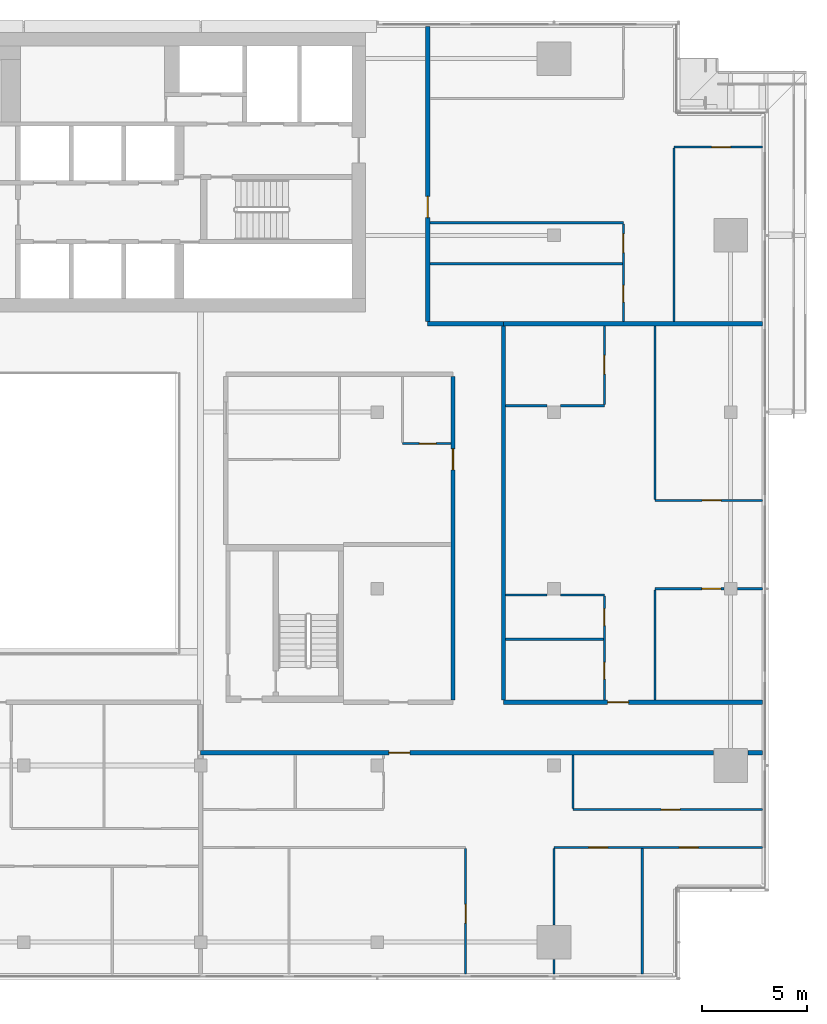
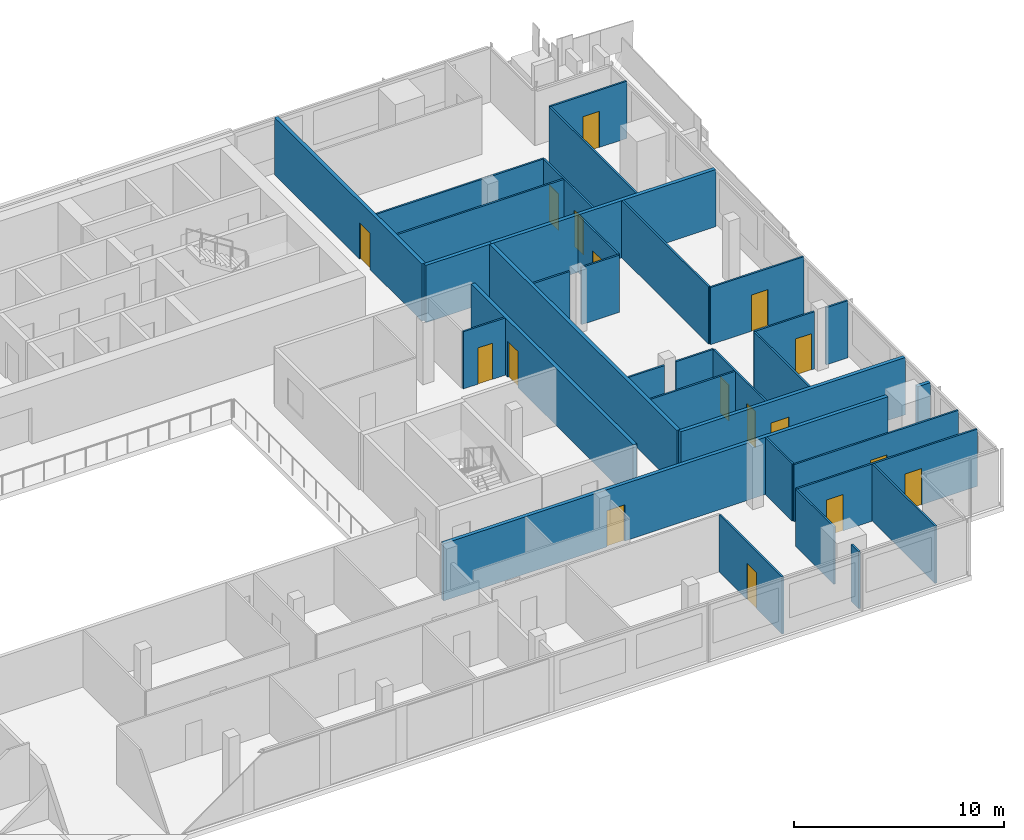
# One storey, part 23 of 30: 33 walls, 17 doors, 17 openings.
"""IFC4 building model written with IfcOpenShell, lengths in metres."""

import ifcopenshell
import ifcopenshell.guid

model = None  # the IFC model being written
_history = None  # IfcOwnerHistory: only IFC2X3 demands one
_inside = {}  # id of a spatial element -> (the spatial element, [elements in it])
_under = {}  # id of a project, library or spatial element -> (it, [spatial elements below it])
_declared = {}  # id of a project -> (the project, [libraries it declares])
_typed = {}  # id of a type object -> (the type object, [elements of that type])
_made_of = {}  # id of a material, layer set ... -> (it, [elements and type objects made of it])


def new_model(schema):
    """Start an empty IFC model of exactly this schema.

    Asked for "IFC4X3", IfcOpenShell would pick the latest addendum, in which some entities
    have other attributes; the version numbers below select the first issue.
    IFC2X3 requires an IfcOwnerHistory on every rooted entity: one is made here for all.
    """
    global model, _history
    if schema == "IFC4X3":
        model = ifcopenshell.file(schema_version=(4, 3, 0, 0))
    else:
        model = ifcopenshell.file(schema=schema)
    _inside.clear()
    _under.clear()
    _declared.clear()
    _typed.clear()
    _made_of.clear()
    _history = None
    if model.schema == "IFC2X3":
        org = make("IfcOrganization", Name="unknown")
        user = make(
            "IfcPersonAndOrganization",
            ThePerson=make("IfcPerson", FamilyName="unknown"),
            TheOrganization=org,
        )
        app = make(
            "IfcApplication",
            ApplicationDeveloper=org,
            Version="unknown",
            ApplicationFullName="unknown",
            ApplicationIdentifier="unknown",
        )
        _history = make(
            "IfcOwnerHistory",
            OwningUser=user,
            OwningApplication=app,
            ChangeAction="ADDED",
            CreationDate=0,
        )
    return model


def make(cls, **values):
    """One entity of the class cls with the attributes given. An attribute that is None is left unset."""
    return model.create_entity(
        cls, **{name: value for name, value in values.items() if value is not None}
    )


def rooted(cls, **values):
    """An entity with a GlobalId (a new one), such as an element, a storey or a relation."""
    return make(cls, GlobalId=ifcopenshell.guid.new(), OwnerHistory=_history, **values)


def si_unit(unit_type, name, prefix=None):
    """IfcSIUnit, for example si_unit("LENGTHUNIT", "METRE", prefix="MILLI")."""
    return make("IfcSIUnit", UnitType=unit_type, Prefix=prefix, Name=name)


def assignment(units):
    """IfcUnitAssignment: the units of a project."""
    return None if units is None else make("IfcUnitAssignment", Units=units)


def point(xyz):
    """IfcCartesianPoint."""
    return None if xyz is None else make("IfcCartesianPoint", Coordinates=xyz)


def direction(xyz):
    """IfcDirection."""
    return None if xyz is None else make("IfcDirection", DirectionRatios=xyz)


def frame(location, z_axis=None, x_axis=None):
    """IfcAxis2Placement3D, a coordinate frame: its origin and axes. An axis left out is left unset."""
    return make(
        "IfcAxis2Placement3D",
        Location=point(location),
        Axis=direction(z_axis),
        RefDirection=direction(x_axis),
    )


def frame_2d(location, x_axis=None):
    """IfcAxis2Placement2D, a coordinate frame in the plane: its origin and x axis."""
    return make(
        "IfcAxis2Placement2D", Location=point(location), RefDirection=direction(x_axis)
    )


def origin():
    """The frame at (0, 0, 0) with its axes left unset."""
    return frame((0.0, 0.0, 0.0))


def place(relative_to, where):
    """IfcLocalPlacement: puts the frame where relative to a parent placement (None: the world)."""
    return make(
        "IfcLocalPlacement", PlacementRelTo=relative_to, RelativePlacement=where
    )


def context(
    kind, dimensions, precision=None, world=None, true_north=None, identifier=None
):
    """IfcGeometricRepresentationContext, for example the 3D "Model" context."""
    return make(
        "IfcGeometricRepresentationContext",
        ContextIdentifier=identifier,
        ContextType=kind,
        CoordinateSpaceDimension=dimensions,
        Precision=precision,
        WorldCoordinateSystem=world,
        TrueNorth=true_north,
    )


def subcontext(parent, identifier, kind, view, scale=None):
    """IfcGeometricRepresentationSubContext, for example "Body" below "Model"."""
    return make(
        "IfcGeometricRepresentationSubContext",
        ContextIdentifier=identifier,
        ContextType=kind,
        ParentContext=parent,
        TargetScale=scale,
        TargetView=view,
    )


def project(units=None, contexts=None):
    """IfcProject with its units and contexts."""
    return rooted(
        "IfcProject",
        Name="project",
        RepresentationContexts=contexts,
        UnitsInContext=assignment(units),
    )


def spatial(cls, under=None, at=None, **own):
    """A site, building, storey or space (cls), placed at a placement, below another one or the project."""
    s = rooted(cls, ObjectPlacement=at, **own)
    if under is not None:
        _under.setdefault(under.id(), (under, []))[1].append(s)
    return s


def profile(cls, at=None, kind="AREA", **sizes):
    """A parametric profile (cls). Its sizes go by their IFC names, for example OverallWidth=200.0."""
    return make(cls, ProfileType=kind, Position=at, **sizes)


def rectangle(**sizes):
    """IfcRectangleProfileDef."""
    return profile("IfcRectangleProfileDef", **sizes)


def extrude(swept, where, along, depth):
    """IfcExtrudedAreaSolid: the profile swept, set in the frame where, extruded along a direction by depth."""
    return make(
        "IfcExtrudedAreaSolid",
        SweptArea=swept,
        Position=where,
        ExtrudedDirection=direction(along),
        Depth=depth,
    )


def shape(context_of_items, identifier, shape_type, items):
    """IfcShapeRepresentation: the items that make up one representation, for example the "Body"."""
    return make(
        "IfcShapeRepresentation",
        ContextOfItems=context_of_items,
        RepresentationIdentifier=identifier,
        RepresentationType=shape_type,
        Items=items,
    )


def material(Name=None, Category=None):
    """IfcMaterial."""
    return make("IfcMaterial", Name=Name, Category=Category)


def layer(
    of_material, thickness, ventilated=None, Name=None, Category=None, Priority=None
):
    """IfcMaterialLayer: one layer of a wall or slab, of a material (None: an air gap)."""
    return make(
        "IfcMaterialLayer",
        Material=of_material,
        LayerThickness=thickness,
        IsVentilated=ventilated,
        Name=Name,
        Category=Category,
        Priority=Priority,
    )


def layer_set(layers, Name=None):
    """IfcMaterialLayerSet."""
    return make("IfcMaterialLayerSet", MaterialLayers=layers, LayerSetName=Name)


def made_of(thing, what):
    """Note that an element or type object is made of a material, layer set ...; save() writes the relation."""
    if what is not None:
        _made_of.setdefault(what.id(), (what, []))[1].append(thing)
    return thing


def type_object(cls, material=None, **own):
    """A type object (cls), such as IfcWallType, which elements share."""
    return made_of(rooted(cls, **own), material)


def element(
    cls,
    number,
    at=None,
    inside=None,
    cuts=None,
    type_object=None,
    material=None,
    context=None,
    identifier="Body",
    shape_type=None,
    held_by="IfcProductDefinitionShape",
    body=None,
    shapes=None,
    **own,
):
    """One element of the class cls, such as IfcWall. Its Tag is "e" and its number.

    at: its placement. inside: the storey or other place that contains it. cuts: it is an
    opening in that element (IfcRelVoidsElement). A single representation is given by context,
    identifier, shape_type and body (its items); several are given by shapes. held_by: the class
    of the entity that holds the representations. save() writes the other relations.
    """
    e = rooted(cls, Tag="e%d" % number, ObjectPlacement=at, **own)
    if body is not None:
        shapes = [shape(context, identifier, shape_type, body)]
    if shapes is not None:
        e.Representation = make(held_by, Representations=shapes)
    if inside is not None:
        _inside.setdefault(inside.id(), (inside, []))[1].append(e)
    if cuts is not None:
        rooted(
            "IfcRelVoidsElement", RelatingBuildingElement=cuts, RelatedOpeningElement=e
        )
    if type_object is not None:
        _typed.setdefault(type_object.id(), (type_object, []))[1].append(e)
    return made_of(e, material)


def fill(opening, filler):
    """IfcRelFillsElement: the door or window that sits in an opening."""
    return rooted(
        "IfcRelFillsElement",
        RelatingOpeningElement=opening,
        RelatedBuildingElement=filler,
    )


def aggregate(whole, parts):
    """IfcRelAggregates: a whole, such as a stair, and the parts it consists of."""
    return rooted("IfcRelAggregates", RelatingObject=whole, RelatedObjects=parts)


def save(model, path):
    """Write the relations noted so far, then the file.

    IfcRelAggregates (storeys below a building ...), IfcRelContainedInSpatialStructure (elements
    in a storey), IfcRelDefinesByType, IfcRelAssociatesMaterial and IfcRelDeclares: one each for
    every whole, place, type object, material and project.
    """
    for whole, parts in _under.values():
        aggregate(whole, parts)
    for where, things in _inside.values():
        rooted(
            "IfcRelContainedInSpatialStructure",
            RelatedElements=things,
            RelatingStructure=where,
        )
    for kind, things in _typed.values():
        rooted("IfcRelDefinesByType", RelatedObjects=things, RelatingType=kind)
    for what, things in _made_of.values():
        rooted("IfcRelAssociatesMaterial", RelatedObjects=things, RelatingMaterial=what)
    for by, libraries in _declared.values():
        rooted("IfcRelDeclares", RelatingContext=by, RelatedDefinitions=libraries)
    model.write(path)


model = new_model("IFC4")

# Units and contexts
model_context = context("Model", 3, precision=1e-05, world=origin(), true_north=direction((0.0, 1.0)))
body_context = subcontext(model_context, "Body", "Model", "MODEL_VIEW")
ifc_project = project(units=[si_unit("LENGTHUNIT", "METRE"), si_unit("AREAUNIT", "SQUARE_METRE"), si_unit("VOLUMEUNIT", "CUBIC_METRE"), si_unit("PLANEANGLEUNIT", "RADIAN"), si_unit("MASSUNIT", "GRAM", prefix="KILO")], contexts=[model_context])

# Site, building, storey
site_placement = place(None, origin())
site = spatial("IfcSite", under=ifc_project, at=site_placement, CompositionType="ELEMENT")
building_placement = place(site_placement, origin())
building = spatial("IfcBuilding", under=site, at=building_placement, Name="Saffron Gate Tower", CompositionType="ELEMENT")
storey_placement = place(building_placement, frame((0.0, 0.0, 245.10009765625)))
storey = spatial("IfcBuildingStorey", under=building, at=storey_placement, Name="L60", CompositionType="ELEMENT", Elevation=245.10009765625)

# Wall, openings, doors
ifc_material_1 = material(Name="Plasterboard on steel studs", Category="steel")
ifc_layer_1 = layer(ifc_material_1, 0.10009765625)
ifc_layer_set_1 = layer_set([ifc_layer_1], Name="PW1 Partition 100")
wall_type_1 = type_object("IfcWallType", Name="PW1 Partition 100", PredefinedType="PARTITIONING", material=ifc_layer_set_1)
wall_1_placement = place(storey_placement, frame((126.919921875, 36.300048828125, 0.0), z_axis=(0.0, 0.0, 1.0), x_axis=(-1.0, 0.0, 0.0)))
wall_1 = element("IfcWall", 1, at=wall_1_placement, inside=storey, type_object=wall_type_1, Name="Partition D4-7", PredefinedType="PARTITIONING", context=body_context, shape_type="SweptSolid", body=[
    extrude(rectangle(XDim=9.919921875, YDim=0.10009765625, at=frame_2d((4.9599609375, 0.0))), origin(), (0.0, 0.0, 1.0), 3.31982421875),
])
opening_1_placement = place(wall_1_placement, frame((3.0576171875, 0.0, 0.0)))
opening_1 = element("IfcOpeningElement", 2, at=opening_1_placement, cuts=wall_1, Name="Opening D4-21", PredefinedType="OPENING", context=body_context, shape_type="SweptSolid", body=[
    extrude(rectangle(XDim=0.89990234375, YDim=2.10009765625, at=frame_2d((0.449951171875, 1.050048828125))), frame((0.0, 0.06005859375, 0.0), z_axis=(0.0, -1.0, 0.0), x_axis=(1.0, 0.0, 0.0)), (0.0, 0.0, 1.0), 0.1201171875),
])
opening_2_placement = place(wall_1_placement, frame((7.3701171875, 0.0, 0.0)))
opening_2 = element("IfcOpeningElement", 3, at=opening_2_placement, cuts=wall_1, Name="Opening D4-20", PredefinedType="OPENING", context=body_context, shape_type="SweptSolid", body=[
    extrude(rectangle(XDim=0.89990234375, YDim=2.10009765625, at=frame_2d((0.449951171875, 1.050048828125))), frame((0.0, 0.06005859375, 0.0), z_axis=(0.0, -1.0, 0.0), x_axis=(1.0, 0.0, 0.0)), (0.0, 0.0, 1.0), 0.1201171875),
])
ifc_material_2 = material(Name="Timber door set", Category="wood")
door_type_1 = type_object("IfcDoorType", Name="RD1 Room door 900x2100", OperationType="NOTDEFINED", PredefinedType="DOOR", material=ifc_material_2)
door_1_placement = place(opening_1_placement, origin())
door_1 = element("IfcDoor", 4, at=door_1_placement, inside=storey, type_object=door_type_1, Name="Door D4-21", OperationType="SINGLE_SWING_RIGHT", OverallHeight=2.10009765625, OverallWidth=0.89990234375, PredefinedType="DOOR", context=body_context, shape_type="SweptSolid", body=[
    extrude(rectangle(XDim=0.89990234375, YDim=2.10009765625, at=frame_2d((0.449951171875, 1.050048828125))), frame((0.0, 0.02490234375, 0.0), z_axis=(0.0, -1.0, 0.0), x_axis=(1.0, 0.0, 0.0)), (0.0, 0.0, 1.0), 0.050048828125),
])
fill(opening_1, door_1)
door_2_placement = place(opening_2_placement, origin())
door_2 = element("IfcDoor", 5, at=door_2_placement, inside=storey, type_object=door_type_1, Name="Door D4-20", OperationType="SINGLE_SWING_RIGHT", OverallHeight=2.10009765625, OverallWidth=0.89990234375, PredefinedType="DOOR", context=body_context, shape_type="SweptSolid", body=[
    extrude(rectangle(XDim=0.89990234375, YDim=2.10009765625, at=frame_2d((0.449951171875, 1.050048828125))), frame((0.0, 0.02490234375, 0.0), z_axis=(0.0, -1.0, 0.0), x_axis=(1.0, 0.0, 0.0)), (0.0, 0.0, 1.0), 0.050048828125),
])
fill(opening_2, door_2)

# Wall, opening, door
wall_2_placement = place(storey_placement, frame((117.89990234375, 38.10009765625, 0.0), z_axis=(0.0, 0.0, 1.0), x_axis=(1.0, 0.0, 0.0)))
wall_2 = element("IfcWall", 6, at=wall_2_placement, inside=storey, type_object=wall_type_1, Name="Partition D4-11", PredefinedType="PARTITIONING", context=body_context, shape_type="SweptSolid", body=[
    extrude(rectangle(XDim=9.02001953125, YDim=0.10009765625, at=frame_2d((4.510009765625, 0.0))), origin(), (0.0, 0.0, 1.0), 3.31982421875),
])
opening_3_placement = place(wall_2_placement, frame((4.199951171875, 0.0, 0.0)))
opening_3 = element("IfcOpeningElement", 7, at=opening_3_placement, cuts=wall_2, Name="Opening D4-22", PredefinedType="OPENING", context=body_context, shape_type="SweptSolid", body=[
    extrude(rectangle(XDim=0.89990234375, YDim=2.10009765625, at=frame_2d((0.449951171875, 1.050048828125))), frame((0.0, 0.06005859375, 0.0), z_axis=(0.0, -1.0, 0.0), x_axis=(1.0, 0.0, 0.0)), (0.0, 0.0, 1.0), 0.1201171875),
])
door_3_placement = place(opening_3_placement, origin())
door_3 = element("IfcDoor", 8, at=door_3_placement, inside=storey, type_object=door_type_1, Name="Door D4-22", OperationType="SINGLE_SWING_RIGHT", OverallHeight=2.10009765625, OverallWidth=0.89990234375, PredefinedType="DOOR", context=body_context, shape_type="SweptSolid", body=[
    extrude(rectangle(XDim=0.89990234375, YDim=2.10009765625, at=frame_2d((0.449951171875, 1.050048828125))), frame((0.0, 0.02490234375, 0.0), z_axis=(0.0, -1.0, 0.0), x_axis=(1.0, 0.0, 0.0)), (0.0, 0.0, 1.0), 0.050048828125),
])
fill(opening_3, door_3)

# Walls
wall_3_placement = place(storey_placement, frame((114.699951171875, 46.199951171875, 0.0), z_axis=(0.0, 0.0, 1.0), x_axis=(1.0, 0.0, 0.0)))
element("IfcWall", 9, at=wall_3_placement, inside=storey, type_object=wall_type_1, Name="Partition D4-21", PredefinedType="PARTITIONING", context=body_context, shape_type="SweptSolid", body=[
    extrude(rectangle(XDim=4.650146484375, YDim=0.10009765625, at=frame_2d((2.3251953125, 0.0))), origin(), (0.0, 0.0, 1.0), 3.31982421875),
])
wall_4_placement = place(storey_placement, frame((114.699951171875, 48.300048828125, 0.0), z_axis=(0.0, 0.0, 1.0), x_axis=(1.0, 0.0, 0.0)))
element("IfcWall", 10, at=wall_4_placement, inside=storey, type_object=wall_type_1, Name="Partition D4-22", PredefinedType="PARTITIONING", context=body_context, shape_type="SweptSolid", body=[
    extrude(rectangle(XDim=1.97998046875, YDim=0.10009765625, at=frame_2d((0.989990234375, 0.0))), origin(), (0.0, 0.0, 1.0), 3.31982421875),
])
wall_5_placement = place(storey_placement, frame((117.320068359375, 48.300048828125, 0.0), z_axis=(0.0, 0.0, 1.0), x_axis=(1.0, 0.0, 0.0)))
element("IfcWall", 11, at=wall_5_placement, inside=storey, type_object=wall_type_1, Name="Partition D4-23", PredefinedType="PARTITIONING", context=body_context, shape_type="SweptSolid", body=[
    extrude(rectangle(XDim=2.079833984375, YDim=0.10009765625, at=frame_2d((1.0400390625, 0.0))), origin(), (0.0, 0.0, 1.0), 3.31982421875),
])

# Wall, opening, door
wall_6_placement = place(storey_placement, frame((125.080078125, 48.60009765625, 0.0), z_axis=(0.0, 0.0, 1.0), x_axis=(-1.0, 0.0, 0.0)))
wall_6 = element("IfcWall", 12, at=wall_6_placement, inside=storey, type_object=wall_type_1, Name="Partition D4-26", PredefinedType="PARTITIONING", context=body_context, shape_type="SweptSolid", body=[
    extrude(rectangle(XDim=3.280029296875, YDim=0.10009765625, at=frame_2d((1.64013671875, 0.0))), origin(), (0.0, 0.0, 1.0), 3.31982421875),
])
opening_4_placement = place(wall_6_placement, frame((0.14990234375, 0.0, 0.0)))
opening_4 = element("IfcOpeningElement", 13, at=opening_4_placement, cuts=wall_6, Name="Opening D4-29", PredefinedType="OPENING", context=body_context, shape_type="SweptSolid", body=[
    extrude(rectangle(XDim=0.89990234375, YDim=2.10009765625, at=frame_2d((0.449951171875, 1.050048828125))), frame((0.0, 0.06005859375, 0.0), z_axis=(0.0, -1.0, 0.0), x_axis=(1.0, 0.0, 0.0)), (0.0, 0.0, 1.0), 0.1201171875),
])
door_4_placement = place(opening_4_placement, origin())
door_4 = element("IfcDoor", 14, at=door_4_placement, inside=storey, type_object=door_type_1, Name="Door D4-29", OperationType="SINGLE_SWING_LEFT", OverallHeight=2.10009765625, OverallWidth=0.89990234375, PredefinedType="DOOR", context=body_context, shape_type="SweptSolid", body=[
    extrude(rectangle(XDim=0.89990234375, YDim=2.10009765625, at=frame_2d((0.449951171875, 1.050048828125))), frame((0.0, 0.02490234375, 0.0), z_axis=(0.0, -1.0, 0.0), x_axis=(1.0, 0.0, 0.0)), (0.0, 0.0, 1.0), 0.050048828125),
])
fill(opening_4, door_4)

# Wall
wall_7_placement = place(storey_placement, frame((125.719970703125, 48.60009765625, 0.0), z_axis=(0.0, 0.0, 1.0), x_axis=(1.0, 0.0, 0.0)))
element("IfcWall", 15, at=wall_7_placement, inside=storey, type_object=wall_type_1, Name="Partition D4-27", PredefinedType="PARTITIONING", context=body_context, shape_type="SweptSolid", body=[
    extrude(rectangle(XDim=1.199951171875, YDim=0.10009765625, at=frame_2d((0.60009765625, 0.0))), origin(), (0.0, 0.0, 1.0), 3.31982421875),
])

# Wall, opening, door
wall_8_placement = place(storey_placement, frame((121.800048828125, 52.800048828125, 0.0), z_axis=(0.0, 0.0, 1.0), x_axis=(1.0, 0.0, 0.0)))
wall_8 = element("IfcWall", 16, at=wall_8_placement, inside=storey, type_object=wall_type_1, Name="Partition D4-32", PredefinedType="PARTITIONING", context=body_context, shape_type="SweptSolid", body=[
    extrude(rectangle(XDim=5.119873046875, YDim=0.10009765625, at=frame_2d((2.56005859375, 0.0))), origin(), (0.0, 0.0, 1.0), 3.31982421875),
])
opening_5_placement = place(wall_8_placement, frame((2.25, 0.0, 0.0)))
opening_5 = element("IfcOpeningElement", 17, at=opening_5_placement, cuts=wall_8, Name="Opening D4-30", PredefinedType="OPENING", context=body_context, shape_type="SweptSolid", body=[
    extrude(rectangle(XDim=0.89990234375, YDim=2.10009765625, at=frame_2d((0.449951171875, 1.050048828125))), frame((0.0, 0.06005859375, 0.0), z_axis=(0.0, -1.0, 0.0), x_axis=(1.0, 0.0, 0.0)), (0.0, 0.0, 1.0), 0.1201171875),
])
door_5_placement = place(opening_5_placement, origin())
door_5 = element("IfcDoor", 18, at=door_5_placement, inside=storey, type_object=door_type_1, Name="Door D4-30", OperationType="SINGLE_SWING_RIGHT", OverallHeight=2.10009765625, OverallWidth=0.89990234375, PredefinedType="DOOR", context=body_context, shape_type="SweptSolid", body=[
    extrude(rectangle(XDim=0.89990234375, YDim=2.10009765625, at=frame_2d((0.449951171875, 1.050048828125))), frame((0.0, 0.02490234375, 0.0), z_axis=(0.0, -1.0, 0.0), x_axis=(1.0, 0.0, 0.0)), (0.0, 0.0, 1.0), 0.050048828125),
])
fill(opening_5, door_5)

wall_9_placement = place(storey_placement, frame((109.800048828125, 55.5, 0.0), z_axis=(0.0, 0.0, 1.0), x_axis=(1.0, 0.0, 0.0)))
wall_9 = element("IfcWall", 19, at=wall_9_placement, inside=storey, type_object=wall_type_1, Name="Partition D4-37", PredefinedType="PARTITIONING", context=body_context, shape_type="SweptSolid", body=[
    extrude(rectangle(XDim=2.300048828125, YDim=0.10009765625, at=frame_2d((1.14990234375, 0.0))), origin(), (0.0, 0.0, 1.0), 3.31982421875),
])
opening_6_placement = place(wall_9_placement, frame((0.800048828125, 0.0, 0.0)))
opening_6 = element("IfcOpeningElement", 20, at=opening_6_placement, cuts=wall_9, Name="Opening D4-50", PredefinedType="OPENING", context=body_context, shape_type="SweptSolid", body=[
    extrude(rectangle(XDim=0.800048828125, YDim=2.10009765625, at=frame_2d((0.39990234375, 1.050048828125))), frame((0.0, 0.06005859375, 0.0), z_axis=(0.0, -1.0, 0.0), x_axis=(1.0, 0.0, 0.0)), (0.0, 0.0, 1.0), 0.1201171875),
])
door_type_2 = type_object("IfcDoorType", Name="RD2 Bathroom door 800x2100", OperationType="NOTDEFINED", PredefinedType="DOOR", material=ifc_material_2)
door_6_placement = place(opening_6_placement, origin())
door_6 = element("IfcDoor", 21, at=door_6_placement, inside=storey, type_object=door_type_2, Name="Door D4-50", OperationType="SINGLE_SWING_RIGHT", OverallHeight=2.10009765625, OverallWidth=0.800048828125, PredefinedType="DOOR", context=body_context, shape_type="SweptSolid", body=[
    extrude(rectangle(XDim=0.800048828125, YDim=2.10009765625, at=frame_2d((0.39990234375, 1.050048828125))), frame((0.0, 0.02490234375, 0.0), z_axis=(0.0, -1.0, 0.0), x_axis=(1.0, 0.0, 0.0)), (0.0, 0.0, 1.0), 0.050048828125),
])
fill(opening_6, door_6)

# Walls
wall_10_placement = place(storey_placement, frame((114.699951171875, 57.300048828125, 0.0), z_axis=(0.0, 0.0, 1.0), x_axis=(1.0, 0.0, 0.0)))
element("IfcWall", 22, at=wall_10_placement, inside=storey, type_object=wall_type_1, Name="Partition D4-40", PredefinedType="PARTITIONING", context=body_context, shape_type="SweptSolid", body=[
    extrude(rectangle(XDim=1.97998046875, YDim=0.10009765625, at=frame_2d((0.989990234375, 0.0))), origin(), (0.0, 0.0, 1.0), 3.31982421875),
])
wall_11_placement = place(storey_placement, frame((117.320068359375, 57.300048828125, 0.0), z_axis=(0.0, 0.0, 1.0), x_axis=(1.0, 0.0, 0.0)))
element("IfcWall", 23, at=wall_11_placement, inside=storey, type_object=wall_type_1, Name="Partition D4-41", PredefinedType="PARTITIONING", context=body_context, shape_type="SweptSolid", body=[
    extrude(rectangle(XDim=2.079833984375, YDim=0.10009765625, at=frame_2d((1.0400390625, 0.0))), origin(), (0.0, 0.0, 1.0), 3.31982421875),
])
wall_12_placement = place(storey_placement, frame((111.10009765625, 64.049560546875, 0.0), z_axis=(0.0, 0.0, 1.0), x_axis=(1.0, 0.0, 0.0)))
element("IfcWall", 24, at=wall_12_placement, inside=storey, type_object=wall_type_1, Name="Partition D4-49", PredefinedType="PARTITIONING", context=body_context, shape_type="SweptSolid", body=[
    extrude(rectangle(XDim=9.14990234375, YDim=0.10009765625, at=frame_2d((4.574951171875, 0.0))), origin(), (0.0, 0.0, 1.0), 3.31982421875),
])
wall_13_placement = place(storey_placement, frame((111.10009765625, 66.0, 0.0), z_axis=(0.0, 0.0, 1.0), x_axis=(1.0, 0.0, 0.0)))
element("IfcWall", 25, at=wall_13_placement, inside=storey, type_object=wall_type_1, Name="Partition D4-50", PredefinedType="PARTITIONING", context=body_context, shape_type="SweptSolid", body=[
    extrude(rectangle(XDim=9.199951171875, YDim=0.10009765625, at=frame_2d((4.60009765625, 0.0))), origin(), (0.0, 0.0, 1.0), 3.31982421875),
])

# Wall, opening, door
wall_14_placement = place(storey_placement, frame((126.919921875, 69.60009765625, 0.0), z_axis=(0.0, 0.0, 1.0), x_axis=(-1.0, 0.0, 0.0)))
wall_14 = element("IfcWall", 26, at=wall_14_placement, inside=storey, type_object=wall_type_1, Name="Partition D4-54", PredefinedType="PARTITIONING", context=body_context, shape_type="SweptSolid", body=[
    extrude(rectangle(XDim=4.219970703125, YDim=0.10009765625, at=frame_2d((2.10986328125, 0.0))), origin(), (0.0, 0.0, 1.0), 3.31982421875),
])
opening_7_placement = place(wall_14_placement, frame((1.52001953125, 0.0, 0.0)))
opening_7 = element("IfcOpeningElement", 27, at=opening_7_placement, cuts=wall_14, Name="Opening D4-32", PredefinedType="OPENING", context=body_context, shape_type="SweptSolid", body=[
    extrude(rectangle(XDim=0.89990234375, YDim=2.10009765625, at=frame_2d((0.449951171875, 1.050048828125))), frame((0.0, 0.06005859375, 0.0), z_axis=(0.0, -1.0, 0.0), x_axis=(1.0, 0.0, 0.0)), (0.0, 0.0, 1.0), 0.1201171875),
])
door_7_placement = place(opening_7_placement, origin())
door_7 = element("IfcDoor", 28, at=door_7_placement, inside=storey, type_object=door_type_1, Name="Door D4-32", OperationType="SINGLE_SWING_LEFT", OverallHeight=2.10009765625, OverallWidth=0.89990234375, PredefinedType="DOOR", context=body_context, shape_type="SweptSolid", body=[
    extrude(rectangle(XDim=0.89990234375, YDim=2.10009765625, at=frame_2d((0.449951171875, 1.050048828125))), frame((0.0, 0.02490234375, 0.0), z_axis=(0.0, -1.0, 0.0), x_axis=(1.0, 0.0, 0.0)), (0.0, 0.0, 1.0), 0.050048828125),
])
fill(opening_7, door_7)

wall_15_placement = place(storey_placement, frame((112.800048828125, 30.280029296875, 0.0), z_axis=(0.0, 0.0, 1.0), x_axis=(0.0, 1.0, 0.0)))
wall_15 = element("IfcWall", 29, at=wall_15_placement, inside=storey, type_object=wall_type_1, Name="Partition D4-104", PredefinedType="PARTITIONING", context=body_context, shape_type="SweptSolid", body=[
    extrude(rectangle(XDim=5.969970703125, YDim=0.10009765625, at=frame_2d((2.98486328125, 0.0))), origin(), (0.0, 0.0, 1.0), 3.31982421875),
])
opening_8_placement = place(wall_15_placement, frame((2.419921875, 0.0, 0.0)))
opening_8 = element("IfcOpeningElement", 30, at=opening_8_placement, cuts=wall_15, Name="Opening D4-19", PredefinedType="OPENING", context=body_context, shape_type="SweptSolid", body=[
    extrude(rectangle(XDim=0.89990234375, YDim=2.10009765625, at=frame_2d((0.449951171875, 1.050048828125))), frame((0.0, 0.06005859375, 0.0), z_axis=(0.0, -1.0, 0.0), x_axis=(1.0, 0.0, 0.0)), (0.0, 0.0, 1.0), 0.1201171875),
])
door_8_placement = place(opening_8_placement, origin())
door_8 = element("IfcDoor", 31, at=door_8_placement, inside=storey, type_object=door_type_1, Name="Door D4-19", OperationType="SINGLE_SWING_LEFT", OverallHeight=2.10009765625, OverallWidth=0.89990234375, PredefinedType="DOOR", context=body_context, shape_type="SweptSolid", body=[
    extrude(rectangle(XDim=0.89990234375, YDim=2.10009765625, at=frame_2d((0.449951171875, 1.050048828125))), frame((0.0, 0.02490234375, 0.0), z_axis=(0.0, -1.0, 0.0), x_axis=(1.0, 0.0, 0.0)), (0.0, 0.0, 1.0), 0.050048828125),
])
fill(opening_8, door_8)

# Walls
wall_16_placement = place(storey_placement, frame((117.0, 30.97998046875, 0.0), z_axis=(0.0, 0.0, 1.0), x_axis=(0.0, -1.0, 0.0)))
element("IfcWall", 32, at=wall_16_placement, inside=storey, type_object=wall_type_1, Name="Partition D4-106", PredefinedType="PARTITIONING", context=body_context, shape_type="SweptSolid", body=[
    extrude(rectangle(XDim=0.699951171875, YDim=0.10009765625, at=frame_2d((0.35009765625, 0.0))), origin(), (0.0, 0.0, 1.0), 3.31982421875),
])
wall_17_placement = place(storey_placement, frame((117.0, 36.25, 0.0), z_axis=(0.0, 0.0, 1.0), x_axis=(0.0, -1.0, 0.0)))
element("IfcWall", 33, at=wall_17_placement, inside=storey, type_object=wall_type_1, Name="Partition D4-107", PredefinedType="PARTITIONING", context=body_context, shape_type="SweptSolid", body=[
    extrude(rectangle(XDim=3.6298828125, YDim=0.10009765625, at=frame_2d((1.81494140625, 0.0))), origin(), (0.0, 0.0, 1.0), 3.31982421875),
])
wall_18_placement = place(storey_placement, frame((117.89990234375, 40.699951171875, 0.0), z_axis=(0.0, 0.0, 1.0), x_axis=(0.0, -1.0, 0.0)))
element("IfcWall", 34, at=wall_18_placement, inside=storey, type_object=wall_type_1, Name="Partition D4-108", PredefinedType="PARTITIONING", context=body_context, shape_type="SweptSolid", body=[
    extrude(rectangle(XDim=2.550048828125, YDim=0.10009765625, at=frame_2d((1.27490234375, 0.0))), origin(), (0.0, 0.0, 1.0), 3.31982421875),
])

# Wall, openings, doors
wall_19_placement = place(storey_placement, frame((119.39990234375, 43.300048828125, 0.0), z_axis=(0.0, 0.0, 1.0), x_axis=(0.0, 1.0, 0.0)))
wall_19 = element("IfcWall", 35, at=wall_19_placement, inside=storey, type_object=wall_type_1, Name="Partition D4-109", PredefinedType="PARTITIONING", context=body_context, shape_type="SweptSolid", body=[
    extrude(rectangle(XDim=4.949951171875, YDim=0.10009765625, at=frame_2d((2.47509765625, 0.0))), origin(), (0.0, 0.0, 1.0), 3.31982421875),
])
opening_9_placement = place(wall_19_placement, frame((1.0, 0.0, 0.0)))
opening_9 = element("IfcOpeningElement", 36, at=opening_9_placement, cuts=wall_19, Name="Opening D4-46", PredefinedType="OPENING", context=body_context, shape_type="SweptSolid", body=[
    extrude(rectangle(XDim=0.800048828125, YDim=2.10009765625, at=frame_2d((0.39990234375, 1.050048828125))), frame((0.0, 0.06005859375, 0.0), z_axis=(0.0, -1.0, 0.0), x_axis=(1.0, 0.0, 0.0)), (0.0, 0.0, 1.0), 0.1201171875),
])
opening_10_placement = place(wall_19_placement, frame((3.550048828125, 0.0, 0.0)))
opening_10 = element("IfcOpeningElement", 37, at=opening_10_placement, cuts=wall_19, Name="Opening D4-47", PredefinedType="OPENING", context=body_context, shape_type="SweptSolid", body=[
    extrude(rectangle(XDim=0.800048828125, YDim=2.10009765625, at=frame_2d((0.39990234375, 1.050048828125))), frame((0.0, 0.06005859375, 0.0), z_axis=(0.0, -1.0, 0.0), x_axis=(1.0, 0.0, 0.0)), (0.0, 0.0, 1.0), 0.1201171875),
])
door_9_placement = place(opening_9_placement, origin())
door_9 = element("IfcDoor", 38, at=door_9_placement, inside=storey, type_object=door_type_2, Name="Door D4-46", OperationType="SINGLE_SWING_LEFT", OverallHeight=2.10009765625, OverallWidth=0.800048828125, PredefinedType="DOOR", context=body_context, shape_type="SweptSolid", body=[
    extrude(rectangle(XDim=0.800048828125, YDim=2.10009765625, at=frame_2d((0.39990234375, 1.050048828125))), frame((0.0, 0.02490234375, 0.0), z_axis=(0.0, -1.0, 0.0), x_axis=(1.0, 0.0, 0.0)), (0.0, 0.0, 1.0), 0.050048828125),
])
fill(opening_9, door_9)
door_10_placement = place(opening_10_placement, origin())
door_10 = element("IfcDoor", 39, at=door_10_placement, inside=storey, type_object=door_type_2, Name="Door D4-47", OperationType="SINGLE_SWING_RIGHT", OverallHeight=2.10009765625, OverallWidth=0.800048828125, PredefinedType="DOOR", context=body_context, shape_type="SweptSolid", body=[
    extrude(rectangle(XDim=0.800048828125, YDim=2.10009765625, at=frame_2d((0.39990234375, 1.050048828125))), frame((0.0, 0.02490234375, 0.0), z_axis=(0.0, -1.0, 0.0), x_axis=(1.0, 0.0, 0.0)), (0.0, 0.0, 1.0), 0.050048828125),
])
fill(opening_10, door_10)

# Wall, opening, door
wall_20_placement = place(storey_placement, frame((119.39990234375, 57.35009765625, 0.0), z_axis=(0.0, 0.0, 1.0), x_axis=(0.0, 1.0, 0.0)))
wall_20 = element("IfcWall", 40, at=wall_20_placement, inside=storey, type_object=wall_type_1, Name="Partition D4-110", PredefinedType="PARTITIONING", context=body_context, shape_type="SweptSolid", body=[
    extrude(rectangle(XDim=3.75, YDim=0.10009765625, at=frame_2d((1.875, 0.0))), origin(), (0.0, 0.0, 1.0), 3.31982421875),
])
opening_11_placement = place(wall_20_placement, frame((1.449951171875, 0.0, 0.0)))
opening_11 = element("IfcOpeningElement", 41, at=opening_11_placement, cuts=wall_20, Name="Opening D4-31", PredefinedType="OPENING", context=body_context, shape_type="SweptSolid", body=[
    extrude(rectangle(XDim=0.89990234375, YDim=2.10009765625, at=frame_2d((0.449951171875, 1.050048828125))), frame((0.0, 0.06005859375, 0.0), z_axis=(0.0, -1.0, 0.0), x_axis=(1.0, 0.0, 0.0)), (0.0, 0.0, 1.0), 0.1201171875),
])
door_11_placement = place(opening_11_placement, origin())
door_11 = element("IfcDoor", 42, at=door_11_placement, inside=storey, type_object=door_type_1, Name="Door D4-31", OperationType="SINGLE_SWING_RIGHT", OverallHeight=2.10009765625, OverallWidth=0.89990234375, PredefinedType="DOOR", context=body_context, shape_type="SweptSolid", body=[
    extrude(rectangle(XDim=0.89990234375, YDim=2.10009765625, at=frame_2d((0.449951171875, 1.050048828125))), frame((0.0, 0.02490234375, 0.0), z_axis=(0.0, -1.0, 0.0), x_axis=(1.0, 0.0, 0.0)), (0.0, 0.0, 1.0), 0.050048828125),
])
fill(opening_11, door_11)

# Wall, openings, doors
wall_21_placement = place(storey_placement, frame((120.300048828125, 61.300048828125, 0.0), z_axis=(0.0, 0.0, 1.0), x_axis=(0.0, 1.0, 0.0)))
wall_21 = element("IfcWall", 43, at=wall_21_placement, inside=storey, type_object=wall_type_1, Name="Partition D4-111", PredefinedType="PARTITIONING", context=body_context, shape_type="SweptSolid", body=[
    extrude(rectangle(XDim=4.64990234375, YDim=0.10009765625, at=frame_2d((2.324951171875, 0.0))), origin(), (0.0, 0.0, 1.0), 3.31982421875),
])
opening_12_placement = place(wall_21_placement, frame((0.9248046875, 0.0, 0.0)))
opening_12 = element("IfcOpeningElement", 44, at=opening_12_placement, cuts=wall_21, Name="Opening D4-48", PredefinedType="OPENING", context=body_context, shape_type="SweptSolid", body=[
    extrude(rectangle(XDim=0.800048828125, YDim=2.10009765625, at=frame_2d((0.39990234375, 1.050048828125))), frame((0.0, 0.06005859375, 0.0), z_axis=(0.0, -1.0, 0.0), x_axis=(1.0, 0.0, 0.0)), (0.0, 0.0, 1.0), 0.1201171875),
])
opening_13_placement = place(wall_21_placement, frame((3.274658203125, 0.0, 0.0)))
opening_13 = element("IfcOpeningElement", 45, at=opening_13_placement, cuts=wall_21, Name="Opening D4-34", PredefinedType="OPENING", context=body_context, shape_type="SweptSolid", body=[
    extrude(rectangle(XDim=0.89990234375, YDim=2.10009765625, at=frame_2d((0.449951171875, 1.050048828125))), frame((0.0, 0.06005859375, 0.0), z_axis=(0.0, -1.0, 0.0), x_axis=(1.0, 0.0, 0.0)), (0.0, 0.0, 1.0), 0.1201171875),
])
door_12_placement = place(opening_13_placement, origin())
door_12 = element("IfcDoor", 46, at=door_12_placement, inside=storey, type_object=door_type_1, Name="Door D4-34", OperationType="SINGLE_SWING_RIGHT", OverallHeight=2.10009765625, OverallWidth=0.89990234375, PredefinedType="DOOR", context=body_context, shape_type="SweptSolid", body=[
    extrude(rectangle(XDim=0.89990234375, YDim=2.10009765625, at=frame_2d((0.449951171875, 1.050048828125))), frame((0.0, 0.02490234375, 0.0), z_axis=(0.0, -1.0, 0.0), x_axis=(1.0, 0.0, 0.0)), (0.0, 0.0, 1.0), 0.050048828125),
])
fill(opening_13, door_12)
door_13_placement = place(opening_12_placement, origin())
door_13 = element("IfcDoor", 47, at=door_13_placement, inside=storey, type_object=door_type_2, Name="Door D4-48", OperationType="SINGLE_SWING_LEFT", OverallHeight=2.10009765625, OverallWidth=0.800048828125, PredefinedType="DOOR", context=body_context, shape_type="SweptSolid", body=[
    extrude(rectangle(XDim=0.800048828125, YDim=2.10009765625, at=frame_2d((0.39990234375, 1.050048828125))), frame((0.0, 0.02490234375, 0.0), z_axis=(0.0, -1.0, 0.0), x_axis=(1.0, 0.0, 0.0)), (0.0, 0.0, 1.0), 0.050048828125),
])
fill(opening_12, door_13)

# Walls
wall_22_placement = place(storey_placement, frame((121.199951171875, 36.25, 0.0), z_axis=(0.0, 0.0, 1.0), x_axis=(0.0, -1.0, 0.0)))
element("IfcWall", 48, at=wall_22_placement, inside=storey, type_object=wall_type_1, Name="Partition D4-113", PredefinedType="PARTITIONING", context=body_context, shape_type="SweptSolid", body=[
    extrude(rectangle(XDim=5.969970703125, YDim=0.10009765625, at=frame_2d((2.98486328125, 0.0))), origin(), (0.0, 0.0, 1.0), 3.31982421875),
])
wall_23_placement = place(storey_placement, frame((121.800048828125, 48.550048828125, 0.0), z_axis=(0.0, 0.0, 1.0), x_axis=(0.0, -1.0, 0.0)))
element("IfcWall", 49, at=wall_23_placement, inside=storey, type_object=wall_type_1, Name="Partition D4-114", PredefinedType="PARTITIONING", context=body_context, shape_type="SweptSolid", body=[
    extrude(rectangle(XDim=5.25, YDim=0.10009765625, at=frame_2d((2.625, 0.0))), origin(), (0.0, 0.0, 1.0), 3.31982421875),
])
for number, where, z_axis, x_axis, name in (
    (50, (121.800048828125, 61.10009765625, 0.0), (0.0, 0.0, 1.0), (0.0, -1.0, 0.0), "Partition D4-115"),
    (51, (122.699951171875, 69.550048828125, 0.0), (0.0, 0.0, 1.0), (0.0, -1.0, 0.0), "Partition D4-116"),
):
    element("IfcWall", number, at=place(storey_placement, frame(where, z_axis=z_axis, x_axis=x_axis)), inside=storey, type_object=wall_type_1, Name=name, PredefinedType="PARTITIONING", context=body_context, shape_type="SweptSolid", body=[
        extrude(rectangle(XDim=8.25, YDim=0.10009765625, at=frame_2d((4.125, 0.0))), origin(), (0.0, 0.0, 1.0), 3.31982421875),
    ])
ifc_material_3 = material(Name="Clay brick masonry, rendered", Category="masonry")
ifc_layer_2 = layer(ifc_material_3, 0.199951171875)
ifc_layer_set_2 = layer_set([ifc_layer_2], Name="PW2 Demising wall 200")
wall_type_2 = type_object("IfcWallType", Name="PW2 Demising wall 200", PredefinedType="PARTITIONING", material=ifc_layer_set_2)
wall_24_placement = place(storey_placement, frame((114.60009765625, 61.199951171875, 0.0), z_axis=(0.0, 0.0, 1.0), x_axis=(1.0, 0.0, 0.0)))
element("IfcWall", 52, at=wall_24_placement, inside=storey, type_object=wall_type_2, Name="Wall D4-48", PredefinedType="PARTITIONING", context=body_context, shape_type="SweptSolid", body=[
    extrude(rectangle(XDim=12.31982421875, YDim=0.199951171875, at=frame_2d((6.159912109375, 0.0))), origin(), (0.0, 0.0, 1.0), 3.31982421875),
])

# Wall, opening, door
ifc_layer_3 = layer(ifc_material_3, 0.199951171875)
ifc_layer_set_3 = layer_set([ifc_layer_3], Name="PW3 Corridor wall 200")
wall_type_3 = type_object("IfcWallType", Name="PW3 Corridor wall 200", PredefinedType="PARTITIONING", material=ifc_layer_set_3)
wall_25_placement = place(storey_placement, frame((124.580078125, 40.800048828125, 0.0), z_axis=(0.0, 0.0, 1.0), x_axis=(-1.0, 0.0, 0.0)))
wall_25 = element("IfcWall", 53, at=wall_25_placement, inside=storey, type_object=wall_type_3, Name="Wall D4-14", PredefinedType="PARTITIONING", context=body_context, shape_type="SweptSolid", body=[
    extrude(rectangle(XDim=24.380126953125, YDim=0.199951171875, at=frame_2d((12.18994140625, 0.0))), origin(), (0.0, 0.0, 1.0), 3.31982421875),
])
opening_14_placement = place(wall_25_placement, frame((14.429931640625, 0.0, 0.0)))
opening_14 = element("IfcOpeningElement", 54, at=opening_14_placement, cuts=wall_25, Name="Opening D4-3", PredefinedType="OPENING", context=body_context, shape_type="SweptSolid", body=[
    extrude(rectangle(XDim=1.0, YDim=2.10009765625, at=frame_2d((0.5, 1.050048828125))), frame((0.0, 0.10986328125, 0.0), z_axis=(0.0, -1.0, 0.0), x_axis=(1.0, 0.0, 0.0)), (0.0, 0.0, 1.0), 0.219970703125),
])
ifc_material_4 = material(Name="Timber fire door set", Category="wood")
door_type_3 = type_object("IfcDoorType", Name="FD1 Flat entry door 1000x2100", OperationType="NOTDEFINED", PredefinedType="DOOR", material=ifc_material_4)
door_14_placement = place(opening_14_placement, origin())
door_14 = element("IfcDoor", 55, at=door_14_placement, inside=storey, type_object=door_type_3, Name="Door D4-3", OperationType="SINGLE_SWING_RIGHT", OverallHeight=2.10009765625, OverallWidth=1.0, PredefinedType="DOOR", context=body_context, shape_type="SweptSolid", body=[
    extrude(rectangle(XDim=1.0, YDim=2.10009765625, at=frame_2d((0.5, 1.050048828125))), frame((0.0, 0.02490234375, 0.0), z_axis=(0.0, -1.0, 0.0), x_axis=(1.0, 0.0, 0.0)), (0.0, 0.0, 1.0), 0.050048828125),
])
fill(opening_14, door_14)

# Wall
wall_26_placement = place(storey_placement, frame((126.219970703125, 40.800048828125, 0.0), z_axis=(0.0, 0.0, 1.0), x_axis=(1.0, 0.0, 0.0)))
element("IfcWall", 56, at=wall_26_placement, inside=storey, type_object=wall_type_3, Name="Wall D4-15", PredefinedType="PARTITIONING", context=body_context, shape_type="SweptSolid", body=[
    extrude(rectangle(XDim=0.699951171875, YDim=0.199951171875, at=frame_2d((0.35009765625, 0.0))), origin(), (0.0, 0.0, 1.0), 3.31982421875),
])

# Wall, opening, door
wall_27_placement = place(storey_placement, frame((114.60009765625, 43.199951171875, 0.0), z_axis=(0.0, 0.0, 1.0), x_axis=(1.0, 0.0, 0.0)))
wall_27 = element("IfcWall", 57, at=wall_27_placement, inside=storey, type_object=wall_type_3, Name="Wall D4-20", PredefinedType="PARTITIONING", context=body_context, shape_type="SweptSolid", body=[
    extrude(rectangle(XDim=12.31982421875, YDim=0.199951171875, at=frame_2d((6.159912109375, 0.0))), origin(), (0.0, 0.0, 1.0), 3.31982421875),
])
opening_15_placement = place(wall_27_placement, frame((4.949951171875, 0.0, 0.0)))
opening_15 = element("IfcOpeningElement", 58, at=opening_15_placement, cuts=wall_27, Name="Opening D4-6", PredefinedType="OPENING", context=body_context, shape_type="SweptSolid", body=[
    extrude(rectangle(XDim=1.0, YDim=2.10009765625, at=frame_2d((0.5, 1.050048828125))), frame((0.0, 0.10986328125, 0.0), z_axis=(0.0, -1.0, 0.0), x_axis=(1.0, 0.0, 0.0)), (0.0, 0.0, 1.0), 0.219970703125),
])
door_15_placement = place(opening_15_placement, origin())
door_15 = element("IfcDoor", 59, at=door_15_placement, inside=storey, type_object=door_type_3, Name="Door D4-6", OperationType="SINGLE_SWING_LEFT", OverallHeight=2.10009765625, OverallWidth=1.0, PredefinedType="DOOR", context=body_context, shape_type="SweptSolid", body=[
    extrude(rectangle(XDim=1.0, YDim=2.10009765625, at=frame_2d((0.5, 1.050048828125))), frame((0.0, 0.02490234375, 0.0), z_axis=(0.0, -1.0, 0.0), x_axis=(1.0, 0.0, 0.0)), (0.0, 0.0, 1.0), 0.050048828125),
])
fill(opening_15, door_15)

# Wall
wall_28_placement = place(storey_placement, frame((111.0, 61.199951171875, 0.0), z_axis=(0.0, 0.0, 1.0), x_axis=(1.0, 0.0, 0.0)))
element("IfcWall", 60, at=wall_28_placement, inside=storey, type_object=wall_type_3, Name="Wall D4-46", PredefinedType="PARTITIONING", context=body_context, shape_type="SweptSolid", body=[
    extrude(rectangle(XDim=3.60009765625, YDim=0.199951171875, at=frame_2d((1.800048828125, 0.0))), origin(), (0.0, 0.0, 1.0), 3.31982421875),
])

# Wall, opening, door
wall_29_placement = place(storey_placement, frame((111.0, 75.320068359375, 0.0), z_axis=(0.0, 0.0, 1.0), x_axis=(0.0, -1.0, 0.0)))
wall_29 = element("IfcWall", 61, at=wall_29_placement, inside=storey, type_object=wall_type_3, Name="Wall D4-102", PredefinedType="PARTITIONING", context=body_context, shape_type="SweptSolid", body=[
    extrude(rectangle(XDim=14.02001953125, YDim=0.199951171875, at=frame_2d((7.010009765625, 0.0))), origin(), (0.0, 0.0, 1.0), 3.31982421875),
])
opening_16_placement = place(wall_29_placement, frame((8.070068359375, 0.0, 0.0)))
opening_16 = element("IfcOpeningElement", 62, at=opening_16_placement, cuts=wall_29, Name="Opening D4-7", PredefinedType="OPENING", context=body_context, shape_type="SweptSolid", body=[
    extrude(rectangle(XDim=1.0, YDim=2.10009765625, at=frame_2d((0.5, 1.050048828125))), frame((0.0, 0.10986328125, 0.0), z_axis=(0.0, -1.0, 0.0), x_axis=(1.0, 0.0, 0.0)), (0.0, 0.0, 1.0), 0.219970703125),
])
door_16_placement = place(opening_16_placement, origin())
door_16 = element("IfcDoor", 63, at=door_16_placement, inside=storey, type_object=door_type_3, Name="Door D4-7", OperationType="SINGLE_SWING_RIGHT", OverallHeight=2.10009765625, OverallWidth=1.0, PredefinedType="DOOR", context=body_context, shape_type="SweptSolid", body=[
    extrude(rectangle(XDim=1.0, YDim=2.10009765625, at=frame_2d((0.5, 1.050048828125))), frame((0.0, 0.02490234375, 0.0), z_axis=(0.0, -1.0, 0.0), x_axis=(1.0, 0.0, 0.0)), (0.0, 0.0, 1.0), 0.050048828125),
])
fill(opening_16, door_16)

wall_30_placement = place(storey_placement, frame((112.199951171875, 43.300048828125, 0.0), z_axis=(0.0, 0.0, 1.0), x_axis=(0.0, 1.0, 0.0)))
wall_30 = element("IfcWall", 64, at=wall_30_placement, inside=storey, type_object=wall_type_3, Name="Wall D4-103", PredefinedType="PARTITIONING", context=body_context, shape_type="SweptSolid", body=[
    extrude(rectangle(XDim=15.39990234375, YDim=0.199951171875, at=frame_2d((7.699951171875, 0.0))), origin(), (0.0, 0.0, 1.0), 3.31982421875),
])
opening_17_placement = place(wall_30_placement, frame((10.949951171875, 0.0, 0.0)))
opening_17 = element("IfcOpeningElement", 65, at=opening_17_placement, cuts=wall_30, Name="Opening D4-9", PredefinedType="OPENING", context=body_context, shape_type="SweptSolid", body=[
    extrude(rectangle(XDim=1.0, YDim=2.10009765625, at=frame_2d((0.5, 1.050048828125))), frame((0.0, 0.10986328125, 0.0), z_axis=(0.0, -1.0, 0.0), x_axis=(1.0, 0.0, 0.0)), (0.0, 0.0, 1.0), 0.219970703125),
])
door_17_placement = place(opening_17_placement, origin())
door_17 = element("IfcDoor", 66, at=door_17_placement, inside=storey, type_object=door_type_3, Name="Door D4-9", OperationType="SINGLE_SWING_RIGHT", OverallHeight=2.10009765625, OverallWidth=1.0, PredefinedType="DOOR", context=body_context, shape_type="SweptSolid", body=[
    extrude(rectangle(XDim=1.0, YDim=2.10009765625, at=frame_2d((0.5, 1.050048828125))), frame((0.0, 0.02490234375, 0.0), z_axis=(0.0, -1.0, 0.0), x_axis=(1.0, 0.0, 0.0)), (0.0, 0.0, 1.0), 0.050048828125),
])
fill(opening_17, door_17)

# Wall
wall_31_placement = place(storey_placement, frame((114.60009765625, 61.10009765625, 0.0), z_axis=(0.0, 0.0, 1.0), x_axis=(0.0, -1.0, 0.0)))
element("IfcWall", 67, at=wall_31_placement, inside=storey, type_object=wall_type_3, Name="Wall D4-105", PredefinedType="PARTITIONING", context=body_context, shape_type="SweptSolid", body=[
    extrude(rectangle(XDim=17.800048828125, YDim=0.199951171875, at=frame_2d((8.89990234375, 0.0))), origin(), (0.0, 0.0, 1.0), 3.31982421875),
])

save(model, "model.ifc")
